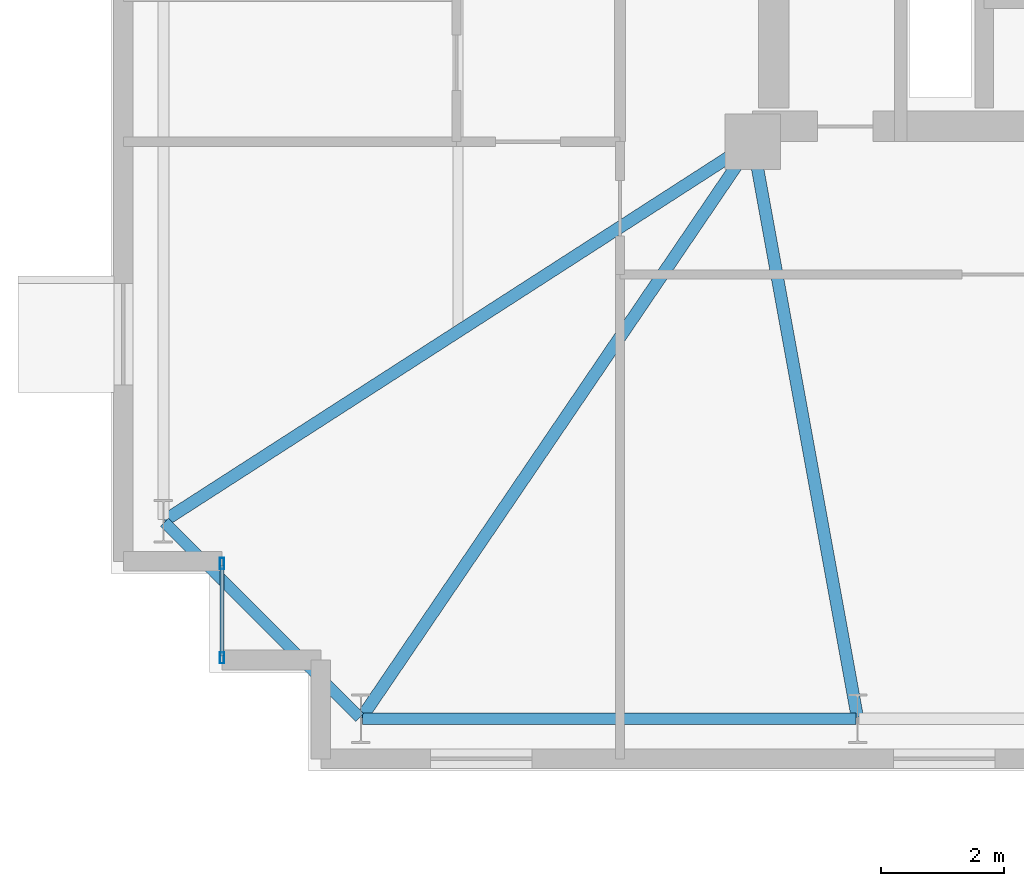
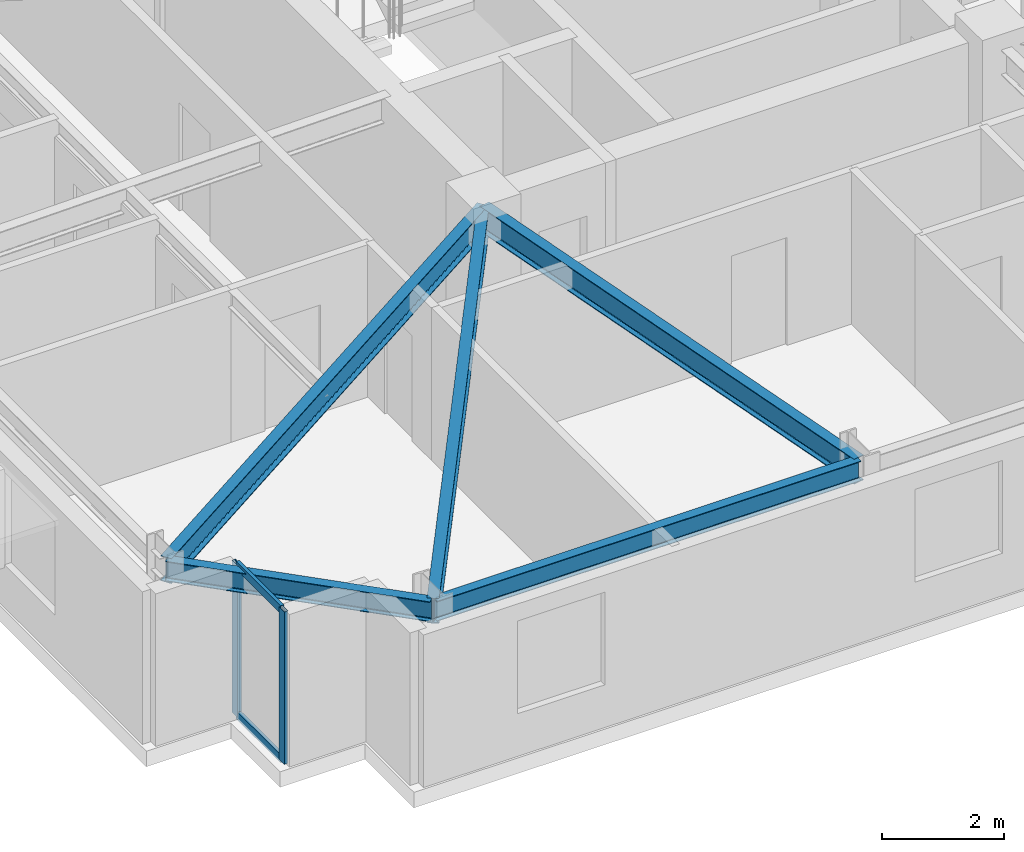
# One storey, part 3 of 18: 5 beams, 4 members, 1 element without a shape of its own.
"""IFC4 building model written with IfcOpenShell, lengths in metres."""

from ifc_helpers import new_model, si_unit, direction, frame, origin, origin_2d, place, context, subcontext, project, spatial, hollow_rectangle, i_section, extrude, material, layer, layer_set, material_profile, profile_set, type_object, element, aggregate, save


model = new_model("IFC4")

# Units and contexts
model_context = context("Model", 3, precision=1e-05, world=origin(), true_north=direction((0.0, 1.0)))
body_context = subcontext(model_context, "Body", "Model", "MODEL_VIEW")
ifc_project = project(units=[si_unit("LENGTHUNIT", "METRE"), si_unit("AREAUNIT", "SQUARE_METRE"), si_unit("VOLUMEUNIT", "CUBIC_METRE"), si_unit("PLANEANGLEUNIT", "RADIAN"), si_unit("MASSUNIT", "GRAM", prefix="KILO")], contexts=[model_context])

# Site, building, storey
site_placement = place(None, origin())
site = spatial("IfcSite", under=ifc_project, at=site_placement, CompositionType="ELEMENT")
building_placement = place(site_placement, origin())
building = spatial("IfcBuilding", under=site, at=building_placement, Name="Qobustan Lattice House", CompositionType="ELEMENT")
storey_placement = place(building_placement, frame((0.0, 0.0, 141.050048828125)))
storey = spatial("IfcBuildingStorey", under=building, at=storey_placement, Name="L39", CompositionType="ELEMENT", Elevation=141.050048828125)

# Beams
ifc_material_1 = material(Name="Steel S355", Category="steel")
ifc_material_profile_1 = material_profile(ifc_material_1, i_section(OverallWidth=0.199951171875, OverallDepth=0.5, WebThickness=0.01025390625, FlangeThickness=0.01611328125, FilletRadius=0.02099609375, at=origin_2d()), Name="IPE500")
ifc_profile_set_1 = profile_set([ifc_material_profile_1], Name="Steel S355")
beam_type_1 = type_object("IfcBeamType", Name="BM-FLG-IPE500", PredefinedType="USERDEFINED", material=ifc_profile_set_1)
beam_1_placement = place(storey_placement, frame((-25.135986328125, -14.92919921875, 2.7900390625), z_axis=(0.561834572616, 0.827249607442, 0.0), x_axis=(-0.827249607442, 0.561834572616, 0.0)))
element("IfcBeam", 1, at=beam_1_placement, inside=storey, type_object=beam_type_1, Name="L39 primary floor girder RAD-S1W", ObjectType="GIRDER", PredefinedType="USERDEFINED", context=body_context, shape_type="SweptSolid", body=[
    extrude(i_section(OverallWidth=0.199951171875, OverallDepth=0.5, WebThickness=0.01025390625, FlangeThickness=0.01611328125, FilletRadius=0.02099609375, at=origin_2d()), origin(), (0.0, 0.0, 1.0), 11.25244140625),
])
beam_2_placement = place(storey_placement, frame((-17.1044921875, -14.92529296875, 2.7900390625), z_axis=(-0.178871801984, 0.983872389314, 0.0), x_axis=(-0.983872389314, -0.178871801984, 0.0)))
element("IfcBeam", 2, at=beam_2_placement, inside=storey, type_object=beam_type_1, Name="L39 primary floor girder RAD-S2", ObjectType="GIRDER", PredefinedType="USERDEFINED", context=body_context, shape_type="SweptSolid", body=[
    extrude(i_section(OverallWidth=0.199951171875, OverallDepth=0.5, WebThickness=0.01025390625, FlangeThickness=0.01611328125, FilletRadius=0.02099609375, at=origin_2d()), origin(), (0.0, 0.0, 1.0), 9.453125),
])
beam_3_placement = place(storey_placement, frame((-28.3291015625, -11.736572265625, 2.7900390625), z_axis=(0.840746836292, 0.5414284415, 0.0), x_axis=(-0.5414284415, 0.840746836292, 0.0)))
element("IfcBeam", 3, at=beam_3_placement, inside=storey, type_object=beam_type_1, Name="L39 primary floor girder RAD-W4", ObjectType="GIRDER", PredefinedType="USERDEFINED", context=body_context, shape_type="SweptSolid", body=[
    extrude(i_section(OverallWidth=0.199951171875, OverallDepth=0.5, WebThickness=0.01025390625, FlangeThickness=0.01611328125, FilletRadius=0.02099609375, at=origin_2d()), origin(), (0.0, 0.0, 1.0), 11.30908203125),
])
ifc_material_2 = material(Name="Steel S355", Category="steel")
ifc_material_profile_2 = material_profile(ifc_material_2, i_section(OverallWidth=0.179931640625, OverallDepth=0.39990234375, WebThickness=0.008544921875, FlangeThickness=0.013427734375, FilletRadius=0.02099609375, at=origin_2d()), Name="IPE400")
ifc_profile_set_2 = profile_set([ifc_material_profile_2], Name="Steel S355")
beam_type_2 = type_object("IfcBeamType", Name="BM-SPD-IPE400", PredefinedType="SPANDREL", material=ifc_profile_set_2)
beam_4_placement = place(storey_placement, frame((-25.125, -14.949951171875, 2.83984375), z_axis=(1.0, 0.0, 0.0), x_axis=(0.0, 1.0, 0.0)))
element("IfcBeam", 4, at=beam_4_placement, inside=storey, type_object=beam_type_2, Name="L39 perimeter spandrel S1-S2", PredefinedType="SPANDREL", context=body_context, shape_type="SweptSolid", body=[
    extrude(i_section(OverallWidth=0.179931640625, OverallDepth=0.39990234375, WebThickness=0.008544921875, FlangeThickness=0.013427734375, FilletRadius=0.02099609375, at=origin_2d()), origin(), (0.0, 0.0, 1.0), 8.0),
])
beam_5_placement = place(storey_placement, frame((-28.332275390625, -11.767578125, 2.83984375), z_axis=(0.707079505568, -0.707134055753, 0.0), x_axis=(0.707134055753, 0.707079505568, 0.0)))
element("IfcBeam", 5, at=beam_5_placement, inside=storey, type_object=beam_type_2, Name="L39 perimeter spandrel W4-S1", PredefinedType="SPANDREL", context=body_context, shape_type="SweptSolid", body=[
    extrude(i_section(OverallWidth=0.179931640625, OverallDepth=0.39990234375, WebThickness=0.008544921875, FlangeThickness=0.013427734375, FilletRadius=0.02099609375, at=origin_2d()), origin(), (0.0, 0.0, 1.0), 4.4755859375),
])

# Curtain wall, members
ifc_material_3 = material(Name="Anodised aluminium and low-E glazing", Category="aluminium")
ifc_layer = layer(ifc_material_3, 0.219970703125)
ifc_layer_set = layer_set([ifc_layer], Name="Anodised aluminium and low-E glazing")
curtain_wall_type = type_object("IfcCurtainWallType", Name="CW-FAC-02", PredefinedType="USERDEFINED", material=ifc_layer_set)
curtain_wall_placement = place(storey_placement, origin())
curtain_wall = element("IfcCurtainWall", 6, at=curtain_wall_placement, inside=storey, type_object=curtain_wall_type, Name="L39 serrated corner faceted glazing 3", ObjectType="CURTAIN WALL", PredefinedType="USERDEFINED")
ifc_material_4 = material(Name="Anodised aluminium EN AW-6063 T6", Category="aluminium")
ifc_material_profile_3 = material_profile(ifc_material_4, hollow_rectangle(XDim=0.070068359375, YDim=0.179931640625, WallThickness=0.00439453125, at=origin_2d()), Name="CWM-180x70")
ifc_profile_set_3 = profile_set([ifc_material_profile_3], Name="Anodised aluminium EN AW-6063 T6")
member_type_1 = type_object("IfcMemberType", Name="CWM-STD-180", PredefinedType="MULLION", material=ifc_profile_set_3)
member_1_placement = place(storey_placement, frame((-27.39990234375, -13.965087890625, 0.0), z_axis=(0.0, 0.0, 1.0), x_axis=(-1.0, 0.0, 0.0)))
member_1 = element("IfcMember", 7, at=member_1_placement, type_object=member_type_1, Name="CW-F2 mullion 1", PredefinedType="MULLION", context=body_context, shape_type="SweptSolid", body=[
    extrude(hollow_rectangle(XDim=0.070068359375, YDim=0.179931640625, WallThickness=0.00439453125, at=origin_2d()), origin(), (0.0, 0.0, 1.0), 3.0400390625),
])
member_2_placement = place(storey_placement, frame((-27.39990234375, -12.43505859375, 0.0), z_axis=(0.0, 0.0, 1.0), x_axis=(-1.0, 0.0, 0.0)))
member_2 = element("IfcMember", 8, at=member_2_placement, type_object=member_type_1, Name="CW-F2 mullion 2", PredefinedType="MULLION", context=body_context, shape_type="SweptSolid", body=[
    extrude(hollow_rectangle(XDim=0.070068359375, YDim=0.179931640625, WallThickness=0.00439453125, at=origin_2d()), origin(), (0.0, 0.0, 1.0), 3.0400390625),
])
ifc_material_5 = material(Name="Anodised aluminium EN AW-6063 T6", Category="aluminium")
ifc_material_profile_4 = material_profile(ifc_material_5, hollow_rectangle(XDim=0.06494140625, YDim=0.159912109375, WallThickness=0.00390625, at=origin_2d()), Name="CWT-160x65")
ifc_profile_set_4 = profile_set([ifc_material_profile_4], Name="Anodised aluminium EN AW-6063 T6")
member_type_2 = type_object("IfcMemberType", Name="CWT-HOR-160", PredefinedType="USERDEFINED", material=ifc_profile_set_4)
member_3_placement = place(storey_placement, frame((-27.39990234375, -13.929931640625, 0.032470703125), z_axis=(0.0, 1.0, 0.0), x_axis=(-1.0, 0.0, 0.0)))
member_3 = element("IfcMember", 9, at=member_3_placement, type_object=member_type_2, Name="CW-F2 transom 1.1", ObjectType="TRANSOM", PredefinedType="USERDEFINED", context=body_context, shape_type="SweptSolid", body=[
    extrude(hollow_rectangle(XDim=0.06494140625, YDim=0.159912109375, WallThickness=0.00390625, at=origin_2d()), origin(), (0.0, 0.0, 1.0), 1.4599609375),
])
member_4_placement = place(storey_placement, frame((-27.39990234375, -13.929931640625, 3.007568359375), z_axis=(0.0, 1.0, 0.0), x_axis=(-1.0, 0.0, 0.0)))
member_4 = element("IfcMember", 10, at=member_4_placement, type_object=member_type_2, Name="CW-F2 transom 1.2", ObjectType="TRANSOM", PredefinedType="USERDEFINED", context=body_context, shape_type="SweptSolid", body=[
    extrude(hollow_rectangle(XDim=0.06494140625, YDim=0.159912109375, WallThickness=0.00390625, at=origin_2d()), origin(), (0.0, 0.0, 1.0), 1.4599609375),
])
aggregate(curtain_wall, [member_1, member_2, member_3, member_4])

save(model, "model.ifc")
